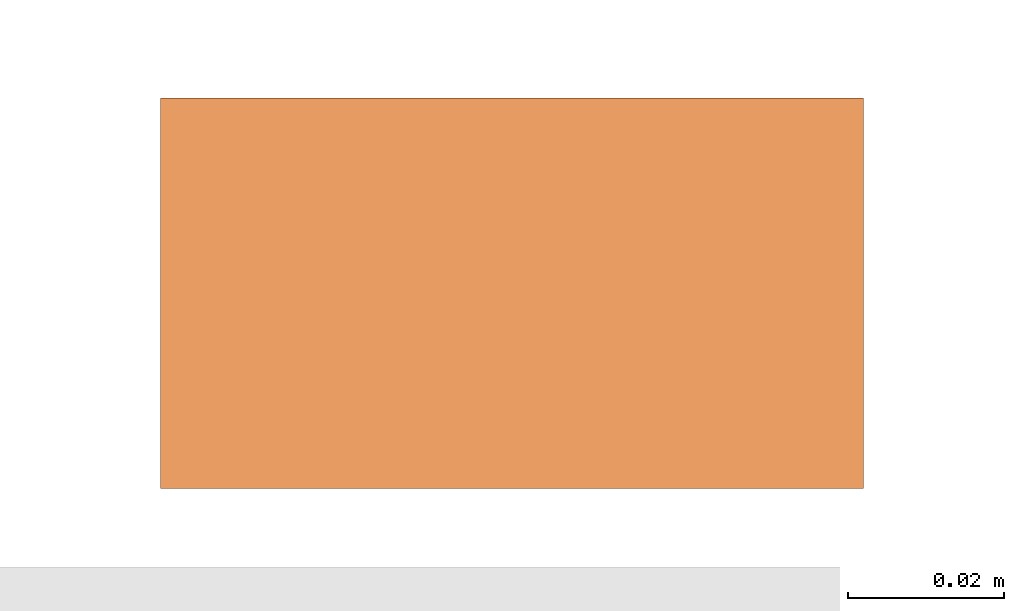
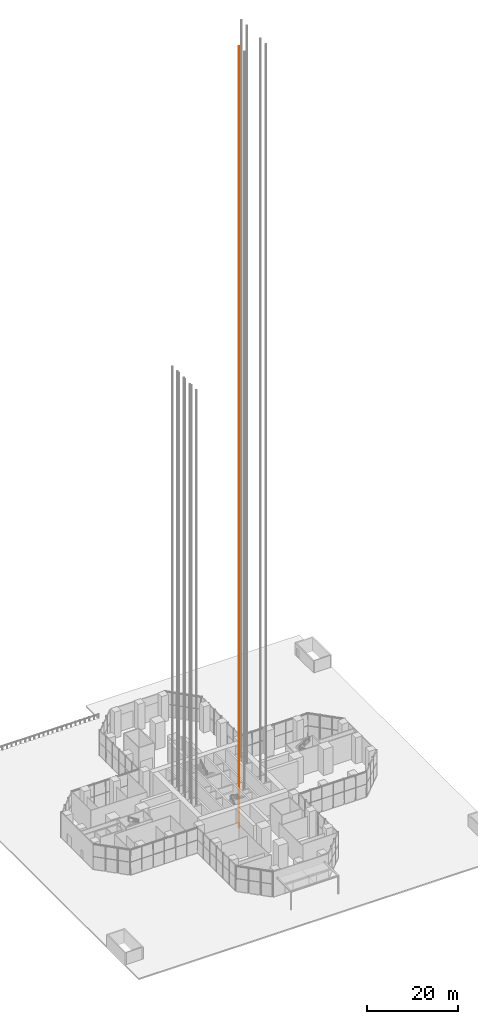
# One storey, part 39 of 43: 1 proxy.
"""IFC4 building model written with IfcOpenShell, lengths in metres."""

from ifc_helpers import new_model, si_unit, direction, frame, origin, origin_2d, place, context, subcontext, project, spatial, rectangle, extrude, material, element, save


model = new_model("IFC4")

# Units and contexts
model_context = context("Model", 3, precision=1e-05, world=origin(), true_north=direction((0.0, 1.0)))
body_context = subcontext(model_context, "Body", "Model", "MODEL_VIEW")
ifc_project = project(units=[si_unit("LENGTHUNIT", "METRE"), si_unit("AREAUNIT", "SQUARE_METRE"), si_unit("VOLUMEUNIT", "CUBIC_METRE"), si_unit("PLANEANGLEUNIT", "RADIAN"), si_unit("MASSUNIT", "GRAM", prefix="KILO")], contexts=[model_context])

# Site, building, storey
site_placement = place(None, origin())
site = spatial("IfcSite", under=ifc_project, at=site_placement, CompositionType="ELEMENT")
building_placement = place(site_placement, origin())
building = spatial("IfcBuilding", under=site, at=building_placement, Name="Mizan Broadcast Tower", CompositionType="ELEMENT")
storey_placement = place(building_placement, origin())
storey = spatial("IfcBuildingStorey", under=building, at=storey_placement, Name="L00", CompositionType="ELEMENT", Elevation=0.0)

# Proxy
ifc_material = material(Name="Steel guide rail", Category="steel")
proxy_placement = place(storey_placement, frame((3.324951171875, -2.93994140625, -5.0), z_axis=(0.0, 0.0, 1.0), x_axis=(1.0, 0.0, 0.0)))
element("IfcBuildingElementProxy", 1, at=proxy_placement, inside=storey, material=ifc_material, Name="Guide rail SH3-2", PredefinedType="NOTDEFINED", context=body_context, shape_type="SweptSolid", body=[
    extrude(rectangle(XDim=0.090087890625, YDim=0.050048828125, at=origin_2d()), origin(), (0.0, 0.0, 1.0), 209.719970703125),
])

save(model, "model.ifc")
